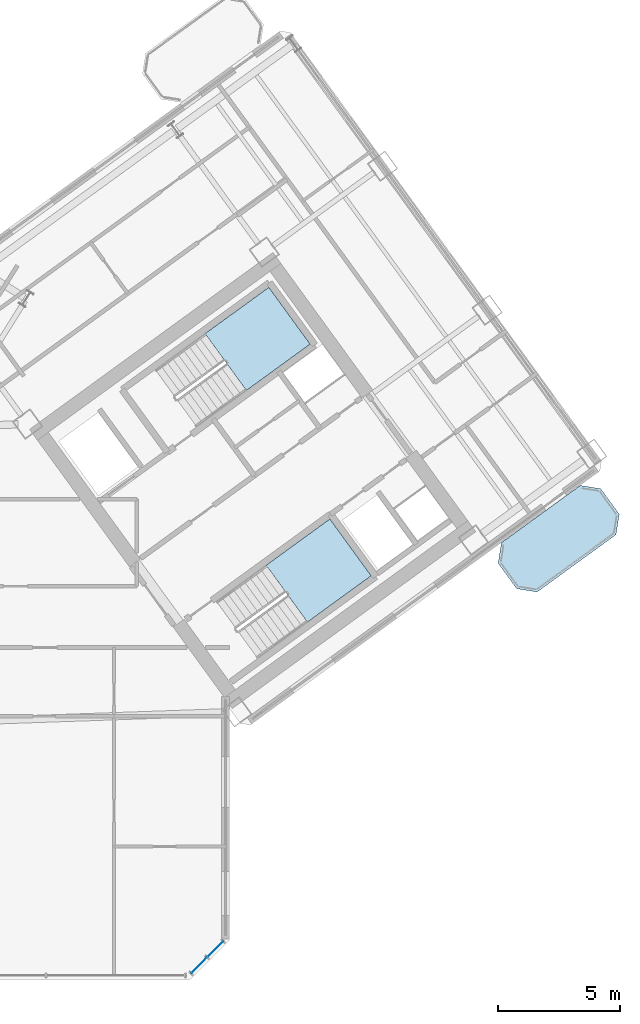
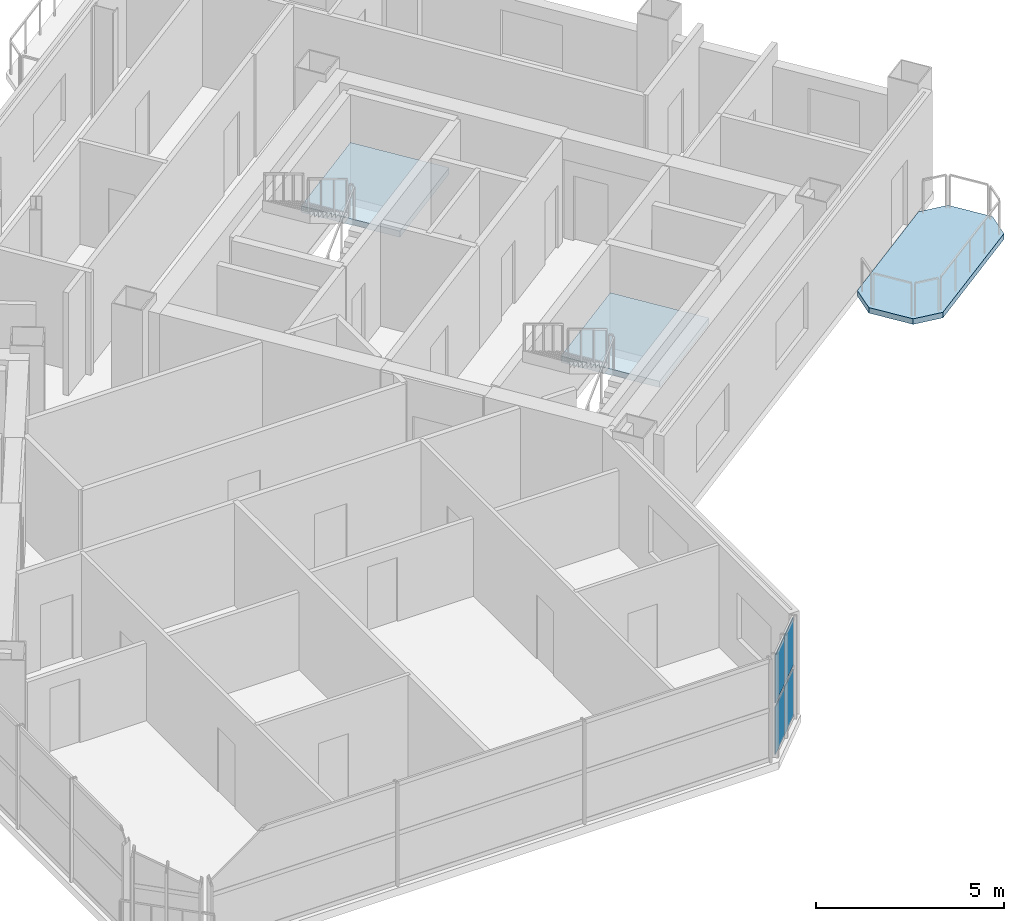
# One storey, part 10 of 21: 4 plates, 3 slabs, 3 elements without a shape of their own.
"""IFC4 building model written with IfcOpenShell, lengths in metres."""

from ifc_helpers import new_model, si_unit, direction, frame, origin, origin_2d, place, context, subcontext, project, spatial, polyline, rectangle, outline, extrude, source, transform, mapped, material, layer, layer_set, type_object, element, aggregate, save


model = new_model("IFC4")

# Units and contexts
model_context = context("Model", 3, precision=1e-05, world=origin(), true_north=direction((0.0, 1.0)))
body_context = subcontext(model_context, "Body", "Model", "MODEL_VIEW")
ifc_project = project(units=[si_unit("LENGTHUNIT", "METRE"), si_unit("AREAUNIT", "SQUARE_METRE"), si_unit("VOLUMEUNIT", "CUBIC_METRE"), si_unit("PLANEANGLEUNIT", "RADIAN"), si_unit("MASSUNIT", "GRAM", prefix="KILO")], contexts=[model_context])

# Site, building, storey
site_placement = place(None, origin())
site = spatial("IfcSite", under=ifc_project, at=site_placement, CompositionType="ELEMENT")
building_placement = place(site_placement, origin())
building = spatial("IfcBuilding", under=site, at=building_placement, Name="Tlacorven Tower", CompositionType="ELEMENT")
storey_placement = place(building_placement, frame((0.0, 0.0, 119.699951171875)))
storey = spatial("IfcBuildingStorey", under=building, at=storey_placement, Name="L30", CompositionType="ELEMENT", Elevation=119.699951171875)

# Slab
ifc_material_1 = material(Name="Precast concrete C45/55", Category="concrete")
ifc_layer_1 = layer(ifc_material_1, 0.179931640625)
ifc_layer_set_1 = layer_set([ifc_layer_1], Name="Precast concrete C45/55")
slab_type_1 = type_object("IfcSlabType", Name="SL-BAL-180", PredefinedType="USERDEFINED", material=ifc_layer_set_1)
slab_1_placement = place(storey_placement, frame((0.0, 0.0, -0.179931640625)))
element("IfcSlab", 1, at=slab_1_placement, inside=storey, type_object=slab_type_1, Name="L30 East Wing Balcony Ribbon OUT", ObjectType="BALCONY SLAB", PredefinedType="USERDEFINED", context=body_context, shape_type="SweptSolid", body=[
    extrude(outline(polyline([(65.025634765625, 17.69482421875), (68.26171875, 20.046142578125), (68.394287109375, 20.884033203125), (67.633056640625, 21.931884765625), (66.795166015625, 22.064453125), (63.55908203125, 19.71337890625), (63.42626953125, 18.875244140625), (64.1875, 17.82763671875), (65.025634765625, 17.69482421875)])), origin(), (0.0, 0.0, 1.0), 0.179931640625),
])

# Stair, slab
ifc_material_2 = material(Name="Concrete C40/50", Category="concrete")
stair_type = type_object("IfcStairType", Name="ST-CORE-DLG", PredefinedType="HALF_TURN_STAIR", material=ifc_material_2)
stair_1_placement = place(storey_placement, origin())
stair_1 = element("IfcStair", 2, at=stair_1_placement, inside=storey, type_object=stair_type, Name="L30 Protected Exit Stair East 1", PredefinedType="HALF_TURN_STAIR")
ifc_layer_2 = layer(ifc_material_2, 0.199951171875)
ifc_layer_set_2 = layer_set([ifc_layer_2], Name="Concrete C40/50")
slab_type_2 = type_object("IfcSlabType", Name="SL-LND-200", PredefinedType="LANDING", material=ifc_layer_set_2)
slab_2_placement = place(storey_placement, frame((0.0, 0.0, 1.60009765625)))
slab_2 = element("IfcSlab", 3, at=slab_2_placement, type_object=slab_type_2, Name="ST-E1 landing 1", PredefinedType="LANDING", context=body_context, shape_type="SweptSolid", body=[
    extrude(outline(polyline([(53.09765625, 25.962890625), (55.7109375, 27.861572265625), (54.01806640625, 30.19140625), (51.40478515625, 28.29296875), (53.09765625, 25.962890625)])), origin(), (0.0, 0.0, 1.0), 0.199951171875),
])
aggregate(stair_1, [slab_2])

stair_2_placement = place(storey_placement, origin())
stair_2 = element("IfcStair", 4, at=stair_2_placement, inside=storey, type_object=stair_type, Name="L30 Protected Exit Stair East 2", PredefinedType="HALF_TURN_STAIR")
slab_3_placement = place(storey_placement, frame((0.0, 0.0, 1.60009765625)))
slab_3 = element("IfcSlab", 5, at=slab_3_placement, type_object=slab_type_2, Name="ST-E2 landing 1", PredefinedType="LANDING", context=body_context, shape_type="SweptSolid", body=[
    extrude(outline(polyline([(55.601806640625, 16.4599609375), (58.21484375, 18.3583984375), (56.52197265625, 20.6884765625), (53.908935546875, 18.789794921875), (55.601806640625, 16.4599609375)])), origin(), (0.0, 0.0, 1.0), 0.199951171875),
])
aggregate(stair_2, [slab_3])

# Curtain wall, plates
ifc_material_3 = material(Name="Dark solar low-E double glazing in aluminium frame", Category="aluminium")
curtain_wall_type = type_object("IfcCurtainWallType", Name="CW-TWR-MID", PredefinedType="USERDEFINED", material=ifc_material_3)
curtain_wall_placement = place(storey_placement, origin())
curtain_wall = element("IfcCurtainWall", 6, at=curtain_wall_placement, inside=storey, type_object=curtain_wall_type, Name="L30 CW-TWR-MID Curtain Wall 147", ObjectType="UNITISED CURTAIN WALL", PredefinedType="USERDEFINED")
ifc_material_4 = material(Name="High-wind dark solar tempered low-E glazing", Category="glass")
ifc_layer_3 = layer(ifc_material_4, 0.028076171875)
ifc_layer_set_3 = layer_set([ifc_layer_3], Name="High-wind dark solar tempered low-E glazing")
plate_type = type_object("IfcPlateType", Name="CWP-03", PredefinedType="CURTAIN_PANEL", material=ifc_layer_set_3)
shared_shape = source(origin(), body_context, "Body", "SweptSolid", [
    extrude(rectangle(XDim=0.885498046875, YDim=0.028076171875, at=origin_2d()), origin(), (0.0, 0.0, 1.0), 1.552978515625),
])
plate_1_placement = place(storey_placement, frame((51.816650390625, 3.04296875, 0.06103515625), z_axis=(0.0, 0.0, 1.0), x_axis=(-0.707106781187, -0.707106781187, 0.0)))
plate_1 = element("IfcPlate", 7, at=plate_1_placement, type_object=plate_type, Name="CW-L30-147 Glazing Panel 1", PredefinedType="CURTAIN_PANEL", context=body_context, shape_type="MappedRepresentation", body=[
    mapped(shared_shape, transform((0.0, 0.0, 0.0), scale=1.0)),
])
plate_2_placement = place(storey_placement, frame((51.816650390625, 3.04296875, 1.73583984375), z_axis=(0.0, 0.0, 1.0), x_axis=(-0.707106781187, -0.707106781187, 0.0)))
plate_2 = element("IfcPlate", 8, at=plate_2_placement, type_object=plate_type, Name="CW-L30-147 Glazing Panel 2", PredefinedType="CURTAIN_PANEL", context=body_context, shape_type="MappedRepresentation", body=[
    mapped(shared_shape, transform((0.0, 0.0, 0.0), scale=1.0)),
])
plate_3_placement = place(storey_placement, frame((51.1572265625, 2.38330078125, 0.06103515625), z_axis=(0.0, 0.0, 1.0), x_axis=(-0.707106781187, -0.707106781187, 0.0)))
plate_3 = element("IfcPlate", 9, at=plate_3_placement, type_object=plate_type, Name="CW-L30-147 Glazing Panel 3", PredefinedType="CURTAIN_PANEL", context=body_context, shape_type="MappedRepresentation", body=[
    mapped(shared_shape, transform((0.0, 0.0, 0.0), scale=1.0)),
])
plate_4_placement = place(storey_placement, frame((51.1572265625, 2.38330078125, 1.73583984375), z_axis=(0.0, 0.0, 1.0), x_axis=(-0.707106781187, -0.707106781187, 0.0)))
plate_4 = element("IfcPlate", 10, at=plate_4_placement, type_object=plate_type, Name="CW-L30-147 Glazing Panel 4", PredefinedType="CURTAIN_PANEL", context=body_context, shape_type="MappedRepresentation", body=[
    mapped(shared_shape, transform((0.0, 0.0, 0.0), scale=1.0)),
])
aggregate(curtain_wall, [plate_1, plate_2, plate_3, plate_4])

save(model, "model.ifc")
